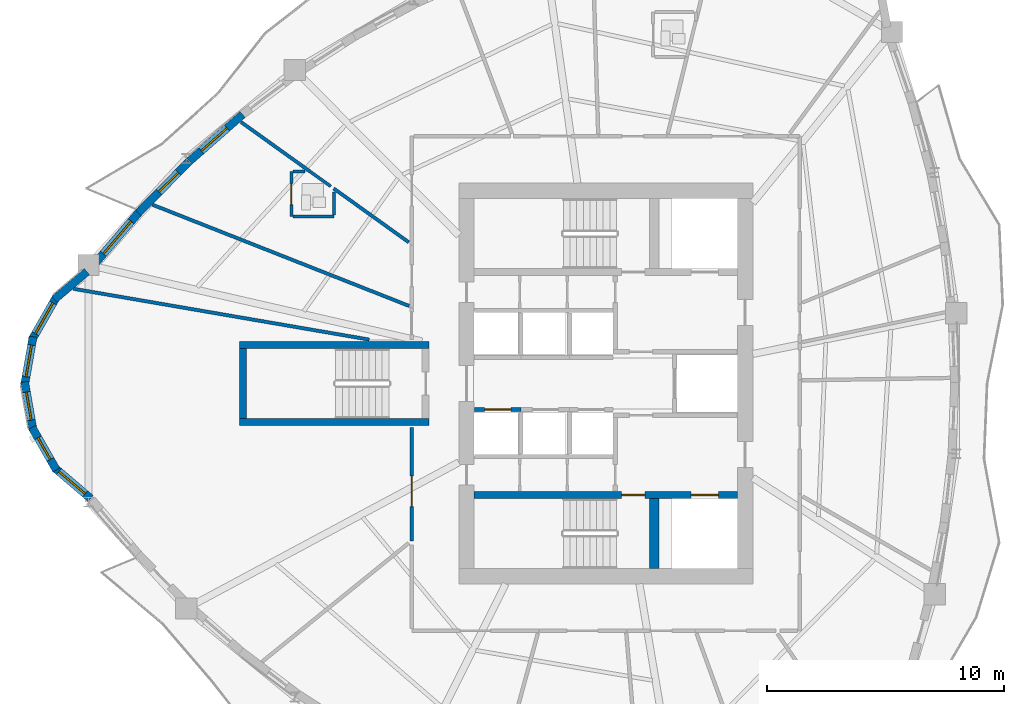
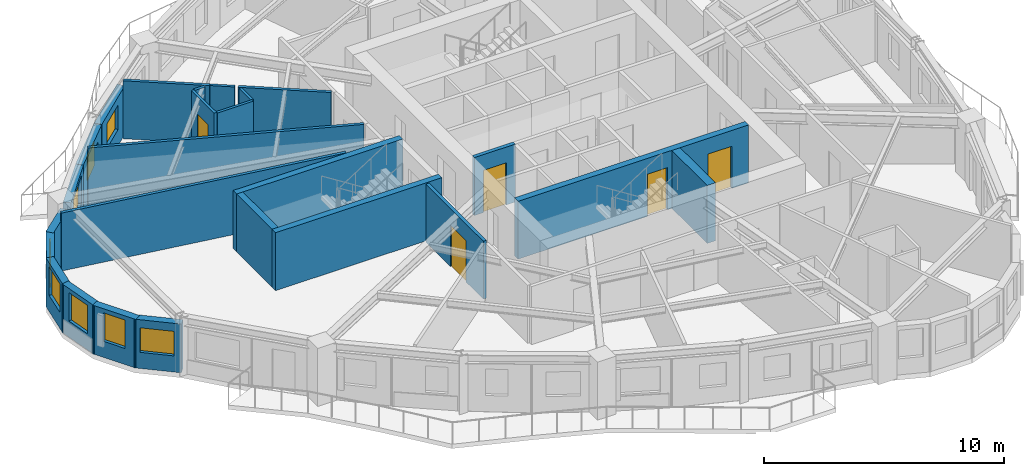
# One storey, part 4 of 12: 25 walls, 8 windows, 5 doors, 13 openings.
"""IFC4 building model written with IfcOpenShell, lengths in metres."""

from ifc_helpers import new_model, si_unit, direction, frame, frame_2d, origin, place, context, subcontext, project, spatial, rectangle, extrude, source, transform, mapped, material, layer, layer_set, type_object, element, fill, save


model = new_model("IFC4")

# Units and contexts
model_context = context("Model", 3, precision=1e-05, world=origin(), true_north=direction((0.0, 1.0)))
body_context = subcontext(model_context, "Body", "Model", "MODEL_VIEW")
ifc_project = project(units=[si_unit("LENGTHUNIT", "METRE"), si_unit("AREAUNIT", "SQUARE_METRE"), si_unit("VOLUMEUNIT", "CUBIC_METRE"), si_unit("PLANEANGLEUNIT", "RADIAN"), si_unit("MASSUNIT", "GRAM", prefix="KILO")], contexts=[model_context])

# Site, building, storey
site_placement = place(None, origin())
site = spatial("IfcSite", under=ifc_project, at=site_placement, CompositionType="ELEMENT")
building_placement = place(site_placement, origin())
building = spatial("IfcBuilding", under=site, at=building_placement, Name="Qafzar Sky-Pleat Residences", CompositionType="ELEMENT")
storey_placement = place(building_placement, frame((0.0, 0.0, 121.60009765625)))
storey = spatial("IfcBuildingStorey", under=building, at=storey_placement, Name="L36", CompositionType="ELEMENT", Elevation=121.60009765625)

# Wall, opening, door
ifc_material_1 = material(Name="Acoustic gypsum plasterboard partition", Category="gypsum")
ifc_layer_1 = layer(ifc_material_1, 0.159912109375)
ifc_layer_set_1 = layer_set([ifc_layer_1], Name="Acoustic gypsum plasterboard partition")
wall_type_1 = type_object("IfcWallType", Name="PART-COR-160", PredefinedType="PARTITIONING", material=ifc_layer_set_1)
wall_1_placement = place(storey_placement, frame((22.169921875, 19.35888671875, 0.0), z_axis=(0.0, 0.0, 1.0), x_axis=(0.0, 1.0, 0.0)))
wall_1 = element("IfcWall", 1, at=wall_1_placement, inside=storey, type_object=wall_type_1, Name="L36 Partition Wall PART-L36-PW-005", PredefinedType="PARTITIONING", context=body_context, shape_type="SweptSolid", body=[
    extrude(rectangle(XDim=4.791015625, YDim=0.159912109375, at=frame_2d((2.3955078125, 0.0))), origin(), (0.0, 0.0, 1.0), 2.949951171875),
])
opening_1_placement = place(wall_1_placement, frame((1.444580078125, 0.0, 0.0)))
opening_1 = element("IfcOpeningElement", 2, at=opening_1_placement, cuts=wall_1, Name="Opening ID-05", PredefinedType="OPENING", context=body_context, shape_type="SweptSolid", body=[
    extrude(rectangle(XDim=1.300048828125, YDim=2.10009765625, at=frame_2d((0.64990234375, 1.050048828125))), frame((0.0, 0.08984375, 0.0), z_axis=(0.0, -1.0, 0.0), x_axis=(1.0, 0.0, 0.0)), (0.0, 0.0, 1.0), 0.179931640625),
])
ifc_material_2 = material(Name="Timber-faced fire door", Category="wood")
door_type_1 = type_object("IfcDoorType", Name="DR-LNG-1300", OperationType="DOUBLE_DOOR_SINGLE_SWING", PredefinedType="DOOR", material=ifc_material_2)
shared_shape_1 = source(origin(), body_context, "Body", "SweptSolid", [
    extrude(rectangle(XDim=1.300048828125, YDim=2.10009765625, at=frame_2d((0.64990234375, 1.050048828125))), frame((0.0, 0.02490234375, 0.0), z_axis=(0.0, -1.0, 0.0), x_axis=(1.0, 0.0, 0.0)), (0.0, 0.0, 1.0), 0.050048828125),
])
door_1_placement = place(opening_1_placement, origin())
door_1 = element("IfcDoor", 3, at=door_1_placement, inside=storey, type_object=door_type_1, Name="L36 Academic Seminar Room Door", OperationType="DOUBLE_DOOR_SINGLE_SWING", OverallHeight=2.10009765625, OverallWidth=1.300048828125, PredefinedType="DOOR", context=body_context, shape_type="MappedRepresentation", body=[
    mapped(shared_shape_1, transform((0.0, 0.0, 0.0), x_axis=(1.0, 0.0, 0.0), y_axis=(0.0, 1.0, 0.0), z_axis=(0.0, 0.0, 1.0), scale=1.0)),
])
fill(opening_1, door_1)

ifc_material_3 = material(Name="Concrete blockwork partition", Category="masonry")
ifc_layer_2 = layer(ifc_material_3, 0.179931640625)
ifc_layer_set_2 = layer_set([ifc_layer_2], Name="Concrete blockwork partition")
wall_type_2 = type_object("IfcWallType", Name="PART-SHAFT-180", PredefinedType="PARTITIONING", material=ifc_layer_set_2)
wall_2_placement = place(storey_placement, frame((24.81005859375, 24.89990234375, 0.0), z_axis=(0.0, 0.0, 1.0), x_axis=(1.0, 0.0, 0.0)))
wall_2 = element("IfcWall", 4, at=wall_2_placement, inside=storey, type_object=wall_type_2, Name="L36 Partition Wall PART-L36-P1-N", PredefinedType="PARTITIONING", context=body_context, shape_type="SweptSolid", body=[
    extrude(rectangle(XDim=1.96484375, YDim=0.179931640625, at=frame_2d((0.982421875, 0.0))), origin(), (0.0, 0.0, 1.0), 2.949951171875),
])
opening_2_placement = place(wall_2_placement, frame((0.4326171875, 0.0, 0.0)))
opening_2 = element("IfcOpeningElement", 5, at=opening_2_placement, cuts=wall_2, Name="Opening LD-01", PredefinedType="OPENING", context=body_context, shape_type="SweptSolid", body=[
    extrude(rectangle(XDim=1.10009765625, YDim=2.14990234375, at=frame_2d((0.550048828125, 1.074951171875))), frame((0.0, 0.10009765625, 0.0), z_axis=(0.0, -1.0, 0.0), x_axis=(1.0, 0.0, 0.0)), (0.0, 0.0, 1.0), 0.199951171875),
])
ifc_material_4 = material(Name="Stainless steel sliding landing door", Category="steel")
door_type_2 = type_object("IfcDoorType", Name="DR-LIFT-P", OperationType="DOUBLE_DOOR_SLIDING", PredefinedType="DOOR", material=ifc_material_4)
shared_shape_2 = source(origin(), body_context, "Body", "SweptSolid", [
    extrude(rectangle(XDim=1.10009765625, YDim=2.14990234375, at=frame_2d((0.550048828125, 1.074951171875))), frame((0.0, 0.02490234375, 0.0), z_axis=(0.0, -1.0, 0.0), x_axis=(1.0, 0.0, 0.0)), (0.0, 0.0, 1.0), 0.050048828125),
])
door_2_placement = place(opening_2_placement, origin())
door_2 = element("IfcDoor", 6, at=door_2_placement, inside=storey, type_object=door_type_2, Name="L36 Passenger Lift P1 Landing Door", OperationType="DOUBLE_DOOR_SLIDING", OverallHeight=2.14990234375, OverallWidth=1.10009765625, PredefinedType="DOOR", context=body_context, shape_type="MappedRepresentation", body=[
    mapped(shared_shape_2, transform((0.0, 0.0, 0.0), x_axis=(1.0, 0.0, 0.0), y_axis=(0.0, 1.0, 0.0), z_axis=(0.0, 0.0, 1.0), scale=1.0)),
])
fill(opening_2, door_2)

# Walls
ifc_layer_3 = layer(ifc_material_1, 0.14501953125)
ifc_layer_set_3 = layer_set([ifc_layer_3], Name="Acoustic gypsum plasterboard partition")
wall_type_3 = type_object("IfcWallType", Name="PART-UNIT-145", PredefinedType="PARTITIONING", material=ifc_layer_set_3)
wall_3_placement = place(storey_placement, frame((7.892822265625, 29.99560546875, 0.0), z_axis=(0.0, 0.0, 1.0), x_axis=(0.985544917876, -0.169414328938, 0.0)))
element("IfcWall", 7, at=wall_3_placement, inside=storey, type_object=wall_type_3, Name="L36 Partition Wall PART-L36-PW-021", PredefinedType="PARTITIONING", context=body_context, shape_type="SweptSolid", body=[
    extrude(rectangle(XDim=12.664306640625, YDim=0.14501953125, at=frame_2d((6.33203125, 0.0))), origin(), (0.0, 0.0, 1.0), 2.949951171875),
])
wall_4_placement = place(storey_placement, frame((11.227783203125, 33.540283203125, 0.0), z_axis=(0.0, 0.0, 1.0), x_axis=(0.930301058265, -0.366796866114, 0.0)))
element("IfcWall", 8, at=wall_4_placement, inside=storey, type_object=wall_type_3, Name="L36 Partition Wall PART-L36-PW-022", PredefinedType="PARTITIONING", context=body_context, shape_type="SweptSolid", body=[
    extrude(rectangle(XDim=11.639404296875, YDim=0.14501953125, at=frame_2d((5.81982421875, 0.0))), origin(), (0.0, 0.0, 1.0), 2.949951171875),
])
wall_5_placement = place(storey_placement, frame((18.8740234375, 34.22509765625, 0.0), z_axis=(0.0, 0.0, 1.0), x_axis=(0.812826521731, -0.582505833079, 0.0)))
element("IfcWall", 9, at=wall_5_placement, inside=storey, type_object=wall_type_3, Name="L36 Partition Wall PART-L36-PW-038", PredefinedType="PARTITIONING", context=body_context, shape_type="SweptSolid", body=[
    extrude(rectangle(XDim=3.896484375, YDim=0.14501953125, at=frame_2d((1.9482421875, 0.0))), origin(), (0.0, 0.0, 1.0), 2.949951171875),
])
wall_6_placement = place(storey_placement, frame((14.96142578125, 37.029541015625, 0.0), z_axis=(0.0, 0.0, 1.0), x_axis=(0.812838437321, -0.582489205748, 0.0)))
element("IfcWall", 10, at=wall_6_placement, inside=storey, type_object=wall_type_3, Name="L36 Partition Wall PART-L36-PW-040", PredefinedType="PARTITIONING", context=body_context, shape_type="SweptSolid", body=[
    extrude(rectangle(XDim=3.6162109375, YDim=0.14501953125, at=frame_2d((1.80810546875, 0.0))), origin(), (0.0, 0.0, 1.0), 2.949951171875),
])

# Wall, opening, door
ifc_material_5 = material(Name="Moisture-resistant gypsum partition", Category="gypsum")
ifc_layer_4 = layer(ifc_material_5, 0.1298828125)
ifc_layer_set_4 = layer_set([ifc_layer_4], Name="Moisture-resistant gypsum partition")
wall_type_4 = type_object("IfcWallType", Name="PART-WET-130", PredefinedType="PARTITIONING", material=ifc_layer_set_4)
wall_7_placement = place(storey_placement, frame((17.089111328125, 34.93798828125, 0.0), z_axis=(0.0, 0.0, 1.0), x_axis=(0.0, -1.0, 0.0)))
wall_7 = element("IfcWall", 11, at=wall_7_placement, inside=storey, type_object=wall_type_4, Name="L36 Partition Wall PART-L36-PW-014", PredefinedType="PARTITIONING", context=body_context, shape_type="SweptSolid", body=[
    extrude(rectangle(XDim=1.89990234375, YDim=0.1298828125, at=frame_2d((0.949951171875, 0.0))), origin(), (0.0, 0.0, 1.0), 2.949951171875),
])
opening_3_placement = place(wall_7_placement, frame((0.510009765625, 0.0, 0.0)))
opening_3 = element("IfcOpeningElement", 12, at=opening_3_placement, cuts=wall_7, Name="Opening ID-07", PredefinedType="OPENING", context=body_context, shape_type="SweptSolid", body=[
    extrude(rectangle(XDim=0.8798828125, YDim=2.050048828125, at=frame_2d((0.43994140625, 1.02490234375))), frame((0.0, 0.074951171875, 0.0), z_axis=(0.0, -1.0, 0.0), x_axis=(1.0, 0.0, 0.0)), (0.0, 0.0, 1.0), 0.14990234375),
])
door_type_3 = type_object("IfcDoorType", Name="DR-WET-880", OperationType="NOTDEFINED", PredefinedType="DOOR", material=ifc_material_2)
shared_shape_3 = source(origin(), body_context, "Body", "SweptSolid", [
    extrude(rectangle(XDim=0.8798828125, YDim=2.050048828125, at=frame_2d((0.43994140625, 1.02490234375))), frame((0.0, 0.02490234375, 0.0), z_axis=(0.0, -1.0, 0.0), x_axis=(1.0, 0.0, 0.0)), (0.0, 0.0, 1.0), 0.050048828125),
])
door_3_placement = place(opening_3_placement, origin())
door_3 = element("IfcDoor", 13, at=door_3_placement, inside=storey, type_object=door_type_3, Name="L36 En-suite Bathroom 2 Door", OperationType="SINGLE_SWING_RIGHT", OverallHeight=2.050048828125, OverallWidth=0.8798828125, PredefinedType="DOOR", context=body_context, shape_type="MappedRepresentation", body=[
    mapped(shared_shape_3, transform((0.0, 0.0, 0.0), x_axis=(1.0, 0.0, 0.0), y_axis=(0.0, 1.0, 0.0), z_axis=(0.0, 0.0, 1.0), scale=1.0)),
])
fill(opening_3, door_3)

# Walls
wall_8_placement = place(storey_placement, frame((17.162109375, 33.0380859375, 0.0), z_axis=(0.0, 0.0, 1.0), x_axis=(1.0, 0.0, 0.0)))
element("IfcWall", 14, at=wall_8_placement, inside=storey, type_object=wall_type_4, Name="L36 Partition Wall PART-L36-PW-042", PredefinedType="PARTITIONING", context=body_context, shape_type="SweptSolid", body=[
    extrude(rectangle(XDim=1.726806640625, YDim=0.1298828125, at=frame_2d((0.86328125, 0.0))), origin(), (0.0, 0.0, 1.0), 2.949951171875),
])
wall_9_placement = place(storey_placement, frame((18.888916015625, 33.111083984375, 0.0), z_axis=(0.0, 0.0, 1.0), x_axis=(0.0, 1.0, 0.0)))
element("IfcWall", 15, at=wall_9_placement, inside=storey, type_object=wall_type_4, Name="L36 Partition Wall PART-L36-PW-050", PredefinedType="PARTITIONING", context=body_context, shape_type="SweptSolid", body=[
    extrude(rectangle(XDim=0.960205078125, YDim=0.1298828125, at=frame_2d((0.47998046875, 0.0))), origin(), (0.0, 0.0, 1.0), 2.949951171875),
])
wall_10_placement = place(storey_placement, frame((17.9130859375, 34.914306640625, 0.0), z_axis=(0.0, 0.0, 1.0), x_axis=(0.812774229327, -0.582578794792, 0.0)))
element("IfcWall", 16, at=wall_10_placement, inside=storey, type_object=wall_type_4, Name="L36 Partition Wall PART-L36-PW-051", PredefinedType="PARTITIONING", context=body_context, shape_type="SweptSolid", body=[
    extrude(rectangle(XDim=1.032958984375, YDim=0.1298828125, at=frame_2d((0.5166015625, 0.0))), origin(), (0.0, 0.0, 1.0), 2.949951171875),
])
wall_11_placement = place(storey_placement, frame((17.162109375, 34.93798828125, 0.0), z_axis=(0.0, 0.0, 1.0), x_axis=(1.0, 0.0, 0.0)))
element("IfcWall", 17, at=wall_11_placement, inside=storey, type_object=wall_type_4, Name="L36 Partition Wall PART-L36-PW-054", PredefinedType="PARTITIONING", context=body_context, shape_type="SweptSolid", body=[
    extrude(rectangle(XDim=0.49462890625, YDim=0.1298828125, at=frame_2d((0.247314453125, 0.0))), origin(), (0.0, 0.0, 1.0), 2.949951171875),
])
ifc_material_6 = material(Name="Precast concrete C40/50 with honed Riyadh limestone", Category="concrete")
ifc_layer_5 = layer(ifc_material_6, 0.340087890625)
ifc_layer_set_5 = layer_set([ifc_layer_5], Name="Precast concrete C40/50 with honed Riyadh limestone")
wall_type_5 = type_object("IfcWallType", Name="WALL-EXT-340", PredefinedType="SOLIDWALL", material=ifc_layer_set_5)
wall_12_placement = place(storey_placement, frame((8.4638671875, 30.717529296875, 0.0), z_axis=(0.0, 0.0, 1.0), x_axis=(-0.76120118347, -0.648515811899, 0.0)))
element("IfcWall", 18, at=wall_12_placement, inside=storey, type_object=wall_type_5, Name="L36 Limestone Facade Wall 1", PredefinedType="SOLIDWALL", context=body_context, shape_type="SweptSolid", body=[
    extrude(rectangle(XDim=1.8046875, YDim=0.340087890625, at=frame_2d((0.90234375, 0.0))), origin(), (0.0, 0.0, 1.0), 2.47998046875),
])

# Wall, opening, window
wall_13_placement = place(storey_placement, frame((7.17529296875, 29.649658203125, 0.0), z_axis=(0.0, 0.0, 1.0), x_axis=(-0.495999400124, -0.868322863385, 0.0)))
wall_13 = element("IfcWall", 19, at=wall_13_placement, inside=storey, type_object=wall_type_5, Name="L36 Limestone Facade Wall 2", PredefinedType="SOLIDWALL", context=body_context, shape_type="SweptSolid", body=[
    extrude(rectangle(XDim=2.07275390625, YDim=0.340087890625, at=frame_2d((1.036376953125, 0.0))), origin(), (0.0, 0.0, 1.0), 2.47998046875),
])
opening_4_placement = place(wall_13_placement, frame((0.286376953125, 0.0, 0.820068359375)))
opening_4 = element("IfcOpeningElement", 20, at=opening_4_placement, cuts=wall_13, Name="Opening WN-03", PredefinedType="OPENING", context=body_context, shape_type="SweptSolid", body=[
    extrude(rectangle(XDim=1.5, YDim=1.449951171875, at=frame_2d((0.75, 0.72509765625))), frame((0.0, 0.18017578125, 0.0), z_axis=(0.0, -1.0, 0.0), x_axis=(1.0, 0.0, 0.0)), (0.0, 0.0, 1.0), 0.360107421875),
])
ifc_material_7 = material(Name="Solar-control low-E glass in bronze aluminium frame", Category="glass")
window_type_1 = type_object("IfcWindowType", Name="WIN-03", PartitioningType="DOUBLE_PANEL_VERTICAL", PredefinedType="WINDOW", material=ifc_material_7)
shared_shape_4 = source(origin(), body_context, "Body", "SweptSolid", [
    extrude(rectangle(XDim=1.5, YDim=1.449951171875, at=frame_2d((0.75, 0.72509765625))), frame((0.0, 0.030029296875, 0.0), z_axis=(0.0, -1.0, 0.0), x_axis=(1.0, 0.0, 0.0)), (0.0, 0.0, 1.0), 0.06005859375),
])
window_1_placement = place(opening_4_placement, origin())
window_1 = element("IfcWindow", 21, at=window_1_placement, inside=storey, type_object=window_type_1, Name="L36 Punched Facade Window 02", OverallHeight=1.449951171875, OverallWidth=1.5, PartitioningType="SINGLE_PANEL", PredefinedType="WINDOW", context=body_context, shape_type="MappedRepresentation", body=[
    mapped(shared_shape_4, transform((0.0, 0.0, 0.0), x_axis=(1.0, 0.0, 0.0), y_axis=(0.0, 1.0, 0.0), z_axis=(0.0, 0.0, 1.0), scale=1.0)),
])
fill(opening_4, window_1)

wall_14_placement = place(storey_placement, frame((6.1923828125, 27.975341796875, 0.0), z_axis=(0.0, 0.0, 1.0), x_axis=(-0.172186061474, -0.985064444711, 0.0)))
wall_14 = element("IfcWall", 22, at=wall_14_placement, inside=storey, type_object=wall_type_5, Name="L36 Limestone Facade Wall 3", PredefinedType="SOLIDWALL", context=body_context, shape_type="SweptSolid", body=[
    extrude(rectangle(XDim=2.072998046875, YDim=0.340087890625, at=frame_2d((1.03662109375, 0.0))), origin(), (0.0, 0.0, 1.0), 2.47998046875),
])
opening_5_placement = place(wall_14_placement, frame((0.361572265625, 0.0, 0.820068359375)))
opening_5 = element("IfcOpeningElement", 23, at=opening_5_placement, cuts=wall_14, Name="Opening WN-04", PredefinedType="OPENING", context=body_context, shape_type="SweptSolid", body=[
    extrude(rectangle(XDim=1.35009765625, YDim=1.449951171875, at=frame_2d((0.675048828125, 0.72509765625))), frame((0.0, 0.18017578125, 0.0), z_axis=(0.0, -1.0, 0.0), x_axis=(1.0, 0.0, 0.0)), (0.0, 0.0, 1.0), 0.360107421875),
])
window_type_2 = type_object("IfcWindowType", Name="WIN-04", PartitioningType="SINGLE_PANEL", PredefinedType="WINDOW", material=ifc_material_7)
shared_shape_5 = source(origin(), body_context, "Body", "SweptSolid", [
    extrude(rectangle(XDim=1.35009765625, YDim=1.449951171875, at=frame_2d((0.675048828125, 0.72509765625))), frame((0.0, 0.030029296875, 0.0), z_axis=(0.0, -1.0, 0.0), x_axis=(1.0, 0.0, 0.0)), (0.0, 0.0, 1.0), 0.06005859375),
])
window_2_placement = place(opening_5_placement, origin())
window_2 = element("IfcWindow", 24, at=window_2_placement, inside=storey, type_object=window_type_2, Name="L36 Punched Facade Window 03", OverallHeight=1.449951171875, OverallWidth=1.35009765625, PartitioningType="SINGLE_PANEL", PredefinedType="WINDOW", context=body_context, shape_type="MappedRepresentation", body=[
    mapped(shared_shape_5, transform((0.0, 0.0, 0.0), x_axis=(1.0, 0.0, 0.0), y_axis=(0.0, 1.0, 0.0), z_axis=(0.0, 0.0, 1.0), scale=1.0)),
])
fill(opening_5, window_2)

wall_15_placement = place(storey_placement, frame((5.83544921875, 26.066650390625, 0.0), z_axis=(0.0, 0.0, 1.0), x_axis=(0.172186061474, -0.985064444711, 0.0)))
wall_15 = element("IfcWall", 25, at=wall_15_placement, inside=storey, type_object=wall_type_5, Name="L36 Limestone Facade Wall 4", PredefinedType="SOLIDWALL", context=body_context, shape_type="SweptSolid", body=[
    extrude(rectangle(XDim=2.072998046875, YDim=0.340087890625, at=frame_2d((1.03662109375, 0.0))), origin(), (0.0, 0.0, 1.0), 2.47998046875),
])
opening_6_placement = place(wall_15_placement, frame((0.4365234375, 0.0, 0.820068359375)))
opening_6 = element("IfcOpeningElement", 26, at=opening_6_placement, cuts=wall_15, Name="Opening WN-05", PredefinedType="OPENING", context=body_context, shape_type="SweptSolid", body=[
    extrude(rectangle(XDim=1.199951171875, YDim=1.449951171875, at=frame_2d((0.60009765625, 0.72509765625))), frame((0.0, 0.18017578125, 0.0), z_axis=(0.0, -1.0, 0.0), x_axis=(1.0, 0.0, 0.0)), (0.0, 0.0, 1.0), 0.360107421875),
])
window_type_3 = type_object("IfcWindowType", Name="WIN-05", PartitioningType="SINGLE_PANEL", PredefinedType="WINDOW", material=ifc_material_7)
shared_shape_6 = source(origin(), body_context, "Body", "SweptSolid", [
    extrude(rectangle(XDim=1.199951171875, YDim=1.449951171875, at=frame_2d((0.60009765625, 0.72509765625))), frame((0.0, 0.030029296875, 0.0), z_axis=(0.0, -1.0, 0.0), x_axis=(1.0, 0.0, 0.0)), (0.0, 0.0, 1.0), 0.06005859375),
])
window_3_placement = place(opening_6_placement, origin())
window_3 = element("IfcWindow", 27, at=window_3_placement, inside=storey, type_object=window_type_3, Name="L36 Punched Facade Window 04", OverallHeight=1.449951171875, OverallWidth=1.199951171875, PartitioningType="SINGLE_PANEL", PredefinedType="WINDOW", context=body_context, shape_type="MappedRepresentation", body=[
    mapped(shared_shape_6, transform((0.0, 0.0, 0.0), x_axis=(1.0, 0.0, 0.0), y_axis=(0.0, 1.0, 0.0), z_axis=(0.0, 0.0, 1.0), scale=1.0)),
])
fill(opening_6, window_3)

wall_16_placement = place(storey_placement, frame((6.147216796875, 24.150146484375, 0.0), z_axis=(0.0, 0.0, 1.0), x_axis=(0.495999400124, -0.868322863385, 0.0)))
wall_16 = element("IfcWall", 28, at=wall_16_placement, inside=storey, type_object=wall_type_5, Name="L36 Limestone Facade Wall 5", PredefinedType="SOLIDWALL", context=body_context, shape_type="SweptSolid", body=[
    extrude(rectangle(XDim=2.07275390625, YDim=0.340087890625, at=frame_2d((1.036376953125, 0.0))), origin(), (0.0, 0.0, 1.0), 2.47998046875),
])
opening_7_placement = place(wall_16_placement, frame((0.511474609375, 0.0, 0.820068359375)))
opening_7 = element("IfcOpeningElement", 29, at=opening_7_placement, cuts=wall_16, Name="Opening WN-06", PredefinedType="OPENING", context=body_context, shape_type="SweptSolid", body=[
    extrude(rectangle(XDim=1.050048828125, YDim=1.449951171875, at=frame_2d((0.52490234375, 0.72509765625))), frame((0.0, 0.18017578125, 0.0), z_axis=(0.0, -1.0, 0.0), x_axis=(1.0, 0.0, 0.0)), (0.0, 0.0, 1.0), 0.360107421875),
])
window_type_4 = type_object("IfcWindowType", Name="WIN-06", PartitioningType="SINGLE_PANEL", PredefinedType="WINDOW", material=ifc_material_7)
shared_shape_7 = source(origin(), body_context, "Body", "SweptSolid", [
    extrude(rectangle(XDim=1.050048828125, YDim=1.449951171875, at=frame_2d((0.52490234375, 0.72509765625))), frame((0.0, 0.030029296875, 0.0), z_axis=(0.0, -1.0, 0.0), x_axis=(1.0, 0.0, 0.0)), (0.0, 0.0, 1.0), 0.06005859375),
])
window_4_placement = place(opening_7_placement, origin())
window_4 = element("IfcWindow", 30, at=window_4_placement, inside=storey, type_object=window_type_4, Name="L36 Punched Facade Window 05", OverallHeight=1.449951171875, OverallWidth=1.050048828125, PartitioningType="SINGLE_PANEL", PredefinedType="WINDOW", context=body_context, shape_type="MappedRepresentation", body=[
    mapped(shared_shape_7, transform((0.0, 0.0, 0.0), x_axis=(1.0, 0.0, 0.0), y_axis=(0.0, 1.0, 0.0), z_axis=(0.0, 0.0, 1.0), scale=1.0)),
])
fill(opening_7, window_4)

wall_17_placement = place(storey_placement, frame((7.090087890625, 22.452880859375, 0.0), z_axis=(0.0, 0.0, 1.0), x_axis=(0.761203352049, -0.648513266502, 0.0)))
wall_17 = element("IfcWall", 31, at=wall_17_placement, inside=storey, type_object=wall_type_5, Name="L36 Limestone Facade Wall 6", PredefinedType="SOLIDWALL", context=body_context, shape_type="SweptSolid", body=[
    extrude(rectangle(XDim=2.014892578125, YDim=0.340087890625, at=frame_2d((1.00732421875, 0.0))), origin(), (0.0, 0.0, 1.0), 2.47998046875),
])
opening_8_placement = place(wall_17_placement, frame((0.25244140625, 0.0, 0.820068359375)))
opening_8 = element("IfcOpeningElement", 32, at=opening_8_placement, cuts=wall_17, Name="Opening WN-15", PredefinedType="OPENING", context=body_context, shape_type="SweptSolid", body=[
    extrude(rectangle(XDim=1.449951171875, YDim=1.25, at=frame_2d((0.72509765625, 0.625))), frame((0.0, 0.18017578125, 0.0), z_axis=(0.0, -1.0, 0.0), x_axis=(1.0, 0.0, 0.0)), (0.0, 0.0, 1.0), 0.360107421875),
])
window_type_5 = type_object("IfcWindowType", Name="WIN-15", PartitioningType="SINGLE_PANEL", PredefinedType="WINDOW", material=ifc_material_7)
shared_shape_8 = source(origin(), body_context, "Body", "SweptSolid", [
    extrude(rectangle(XDim=1.449951171875, YDim=1.25, at=frame_2d((0.72509765625, 0.625))), frame((0.0, 0.030029296875, 0.0), z_axis=(0.0, -1.0, 0.0), x_axis=(1.0, 0.0, 0.0)), (0.0, 0.0, 1.0), 0.06005859375),
])
window_5_placement = place(opening_8_placement, origin())
window_5 = element("IfcWindow", 33, at=window_5_placement, inside=storey, type_object=window_type_5, Name="L36 Punched Facade Window 06", OverallHeight=1.25, OverallWidth=1.449951171875, PartitioningType="SINGLE_PANEL", PredefinedType="WINDOW", context=body_context, shape_type="MappedRepresentation", body=[
    mapped(shared_shape_8, transform((0.0, 0.0, 0.0), x_axis=(1.0, 0.0, 0.0), y_axis=(0.0, 1.0, 0.0), z_axis=(0.0, 0.0, 1.0), scale=1.0)),
])
fill(opening_8, window_5)

wall_18_placement = place(storey_placement, frame((15.030517578125, 37.3486328125, 0.0), z_axis=(0.0, 0.0, 1.0), x_axis=(-0.751472812955, -0.659764057364, 0.0)))
wall_18 = element("IfcWall", 34, at=wall_18_placement, inside=storey, type_object=wall_type_5, Name="L36 Limestone Facade Wall 46", PredefinedType="SOLIDWALL", context=body_context, shape_type="SweptSolid", body=[
    extrude(rectangle(XDim=2.989501953125, YDim=0.340087890625, at=frame_2d((1.49462890625, 0.0))), origin(), (0.0, 0.0, 1.0), 2.47998046875),
])
opening_9_placement = place(wall_18_placement, frame((0.875, 0.0, 0.820068359375)))
opening_9 = element("IfcOpeningElement", 35, at=opening_9_placement, cuts=wall_18, Name="Opening WN-15", PredefinedType="OPENING", context=body_context, shape_type="SweptSolid", body=[
    extrude(rectangle(XDim=1.449951171875, YDim=1.25, at=frame_2d((0.72509765625, 0.625))), frame((0.0, 0.18017578125, 0.0), z_axis=(0.0, -1.0, 0.0), x_axis=(1.0, 0.0, 0.0)), (0.0, 0.0, 1.0), 0.360107421875),
])
window_6_placement = place(opening_9_placement, origin())
window_6 = element("IfcWindow", 36, at=window_6_placement, inside=storey, type_object=window_type_5, Name="L36 Punched Facade Window 46", OverallHeight=1.25, OverallWidth=1.449951171875, PartitioningType="SINGLE_PANEL", PredefinedType="WINDOW", context=body_context, shape_type="MappedRepresentation", body=[
    mapped(shared_shape_8, transform((0.0, 0.0, 0.0), x_axis=(1.0, 0.0, 0.0), y_axis=(0.0, 1.0, 0.0), z_axis=(0.0, 0.0, 1.0), scale=1.0)),
])
fill(opening_9, window_6)

wall_19_placement = place(storey_placement, frame((12.763916015625, 35.357177734375, 0.0), z_axis=(0.0, 0.0, 1.0), x_axis=(-0.701906045867, -0.712269543625, 0.0)))
wall_19 = element("IfcWall", 37, at=wall_19_placement, inside=storey, type_object=wall_type_5, Name="L36 Limestone Facade Wall 47", PredefinedType="SOLIDWALL", context=body_context, shape_type="SweptSolid", body=[
    extrude(rectangle(XDim=3.0390625, YDim=0.340087890625, at=frame_2d((1.51953125, 0.0))), origin(), (0.0, 0.0, 1.0), 2.47998046875),
])
opening_10_placement = place(wall_19_placement, frame((0.6455078125, 0.0, 0.820068359375)))
opening_10 = element("IfcOpeningElement", 38, at=opening_10_placement, cuts=wall_19, Name="Opening WN-16", PredefinedType="OPENING", context=body_context, shape_type="SweptSolid", body=[
    extrude(rectangle(XDim=1.14990234375, YDim=1.199951171875, at=frame_2d((0.574951171875, 0.60009765625))), frame((0.0, 0.18017578125, 0.0), z_axis=(0.0, -1.0, 0.0), x_axis=(1.0, 0.0, 0.0)), (0.0, 0.0, 1.0), 0.360107421875),
])
window_type_6 = type_object("IfcWindowType", Name="WIN-16", PartitioningType="SINGLE_PANEL", PredefinedType="WINDOW", material=ifc_material_7)
shared_shape_9 = source(origin(), body_context, "Body", "SweptSolid", [
    extrude(rectangle(XDim=1.14990234375, YDim=1.199951171875, at=frame_2d((0.574951171875, 0.60009765625))), frame((0.0, 0.030029296875, 0.0), z_axis=(0.0, -1.0, 0.0), x_axis=(1.0, 0.0, 0.0)), (0.0, 0.0, 1.0), 0.06005859375),
])
window_7_placement = place(opening_10_placement, origin())
window_7 = element("IfcWindow", 39, at=window_7_placement, inside=storey, type_object=window_type_6, Name="L36 Punched Facade Window 47", OverallHeight=1.199951171875, OverallWidth=1.14990234375, PartitioningType="SINGLE_PANEL", PredefinedType="WINDOW", context=body_context, shape_type="MappedRepresentation", body=[
    mapped(shared_shape_9, transform((0.0, 0.0, 0.0), x_axis=(1.0, 0.0, 0.0), y_axis=(0.0, 1.0, 0.0), z_axis=(0.0, 0.0, 1.0), scale=1.0)),
])
fill(opening_10, window_7)

wall_20_placement = place(storey_placement, frame((10.690185546875, 33.257080078125, 0.0), z_axis=(0.0, 0.0, 1.0), x_axis=(-0.650763576187, -0.759280427714, 0.0)))
wall_20 = element("IfcWall", 40, at=wall_20_placement, inside=storey, type_object=wall_type_5, Name="L36 Limestone Facade Wall 48", PredefinedType="SOLIDWALL", context=body_context, shape_type="SweptSolid", body=[
    extrude(rectangle(XDim=2.893310546875, YDim=0.340087890625, at=frame_2d((1.44677734375, 0.0))), origin(), (0.0, 0.0, 1.0), 2.47998046875),
])
opening_11_placement = place(wall_20_placement, frame((0.5517578125, 0.0, 0.820068359375)))
opening_11 = element("IfcOpeningElement", 41, at=opening_11_placement, cuts=wall_20, Name="Opening WN-01", PredefinedType="OPENING", context=body_context, shape_type="SweptSolid", body=[
    extrude(rectangle(XDim=1.800048828125, YDim=1.449951171875, at=frame_2d((0.89990234375, 0.72509765625))), frame((0.0, 0.18017578125, 0.0), z_axis=(0.0, -1.0, 0.0), x_axis=(1.0, 0.0, 0.0)), (0.0, 0.0, 1.0), 0.360107421875),
])
window_type_7 = type_object("IfcWindowType", Name="WIN-01", PartitioningType="DOUBLE_PANEL_VERTICAL", PredefinedType="WINDOW", material=ifc_material_7)
shared_shape_10 = source(origin(), body_context, "Body", "SweptSolid", [
    extrude(rectangle(XDim=1.800048828125, YDim=1.449951171875, at=frame_2d((0.89990234375, 0.72509765625))), frame((0.0, 0.030029296875, 0.0), z_axis=(0.0, -1.0, 0.0), x_axis=(1.0, 0.0, 0.0)), (0.0, 0.0, 1.0), 0.06005859375),
])
window_8_placement = place(opening_11_placement, origin())
window_8 = element("IfcWindow", 42, at=window_8_placement, inside=storey, type_object=window_type_7, Name="L36 Punched Facade Window 48", OverallHeight=1.449951171875, OverallWidth=1.800048828125, PartitioningType="SINGLE_PANEL", PredefinedType="WINDOW", context=body_context, shape_type="MappedRepresentation", body=[
    mapped(shared_shape_10, transform((0.0, 0.0, 0.0), x_axis=(1.0, 0.0, 0.0), y_axis=(0.0, 1.0, 0.0), z_axis=(0.0, 0.0, 1.0), scale=1.0)),
])
fill(opening_11, window_8)

# Wall, openings, doors
ifc_material_8 = material(Name="Concrete C60/75", Category="concrete")
ifc_layer_6 = layer(ifc_material_8, 0.300048828125)
ifc_layer_set_6 = layer_set([ifc_layer_6], Name="Concrete C60/75")
wall_type_6 = type_object("IfcWallType", Name="WALL-SHEAR-300", PredefinedType="SHEAR", material=ifc_layer_set_6)
wall_21_placement = place(storey_placement, frame((24.800048828125, 21.300048828125, 0.0), z_axis=(0.0, 0.0, 1.0), x_axis=(1.0, 0.0, 0.0)))
wall_21 = element("IfcWall", 43, at=wall_21_placement, inside=storey, type_object=wall_type_6, Name="L36 Stair ST1 and FF1 Shaft North Wall", PredefinedType="SHEAR", context=body_context, shape_type="SweptSolid", body=[
    extrude(rectangle(XDim=11.099853515625, YDim=0.300048828125, at=frame_2d((5.5498046875, 0.0))), origin(), (0.0, 0.0, 1.0), 2.949951171875),
])
opening_12_placement = place(wall_21_placement, frame((6.219970703125, 0.0, 0.0)))
opening_12 = element("IfcOpeningElement", 44, at=opening_12_placement, cuts=wall_21, Name="Opening ID-01", PredefinedType="OPENING", context=body_context, shape_type="SweptSolid", body=[
    extrude(rectangle(XDim=0.97998046875, YDim=2.14990234375, at=frame_2d((0.489990234375, 1.074951171875))), frame((0.0, 0.16015625, 0.0), z_axis=(0.0, -1.0, 0.0), x_axis=(1.0, 0.0, 0.0)), (0.0, 0.0, 1.0), 0.320068359375),
])
opening_13_placement = place(wall_21_placement, frame((9.14990234375, 0.0, 0.0)))
opening_13 = element("IfcOpeningElement", 45, at=opening_13_placement, cuts=wall_21, Name="Opening LD-02", PredefinedType="OPENING", context=body_context, shape_type="SweptSolid", body=[
    extrude(rectangle(XDim=1.14990234375, YDim=2.14990234375, at=frame_2d((0.574951171875, 1.074951171875))), frame((0.0, 0.16015625, 0.0), z_axis=(0.0, -1.0, 0.0), x_axis=(1.0, 0.0, 0.0)), (0.0, 0.0, 1.0), 0.320068359375),
])
door_type_4 = type_object("IfcDoorType", Name="DR-STAIR-980", OperationType="NOTDEFINED", PredefinedType="DOOR", material=ifc_material_2)
shared_shape_11 = source(origin(), body_context, "Body", "SweptSolid", [
    extrude(rectangle(XDim=0.97998046875, YDim=2.14990234375, at=frame_2d((0.489990234375, 1.074951171875))), frame((0.0, 0.02490234375, 0.0), z_axis=(0.0, -1.0, 0.0), x_axis=(1.0, 0.0, 0.0)), (0.0, 0.0, 1.0), 0.050048828125),
])
door_4_placement = place(opening_12_placement, origin())
door_4 = element("IfcDoor", 46, at=door_4_placement, inside=storey, type_object=door_type_4, Name="L36 Stair ST1 Fire Door", OperationType="SINGLE_SWING_RIGHT", OverallHeight=2.14990234375, OverallWidth=0.97998046875, PredefinedType="DOOR", context=body_context, shape_type="MappedRepresentation", body=[
    mapped(shared_shape_11, transform((0.0, 0.0, 0.0), x_axis=(1.0, 0.0, 0.0), y_axis=(0.0, 1.0, 0.0), z_axis=(0.0, 0.0, 1.0), scale=1.0)),
])
fill(opening_12, door_4)
door_type_5 = type_object("IfcDoorType", Name="DR-LIFT-FF", OperationType="DOUBLE_DOOR_SLIDING", PredefinedType="DOOR", material=ifc_material_4)
shared_shape_12 = source(origin(), body_context, "Body", "SweptSolid", [
    extrude(rectangle(XDim=1.14990234375, YDim=2.14990234375, at=frame_2d((0.574951171875, 1.074951171875))), frame((0.0, 0.02490234375, 0.0), z_axis=(0.0, -1.0, 0.0), x_axis=(1.0, 0.0, 0.0)), (0.0, 0.0, 1.0), 0.050048828125),
])
door_5_placement = place(opening_13_placement, origin())
door_5 = element("IfcDoor", 47, at=door_5_placement, inside=storey, type_object=door_type_5, Name="L36 Firefighting Lift FF1 Landing Door", OperationType="DOUBLE_DOOR_SLIDING", OverallHeight=2.14990234375, OverallWidth=1.14990234375, PredefinedType="DOOR", context=body_context, shape_type="MappedRepresentation", body=[
    mapped(shared_shape_12, transform((0.0, 0.0, 0.0), x_axis=(1.0, 0.0, 0.0), y_axis=(0.0, 1.0, 0.0), z_axis=(0.0, 0.0, 1.0), scale=1.0)),
])
fill(opening_13, door_5)

# Walls
for number, where, z_axis, x_axis, name in (
    (48, (14.89990234375, 24.375, 0.0), (0.0, 0.0, 1.0), (1.0, 0.0, 0.0), "L36 ST3 wall S"),
    (49, (22.89990234375, 27.625, 0.0), (0.0, 0.0, 1.0), (-1.0, 0.0, 0.0), "L36 ST3 wall N"),
):
    element("IfcWall", number, at=place(storey_placement, frame(where, z_axis=z_axis, x_axis=x_axis)), inside=storey, type_object=wall_type_6, Name=name, PredefinedType="SHEAR", context=body_context, shape_type="SweptSolid", body=[
        extrude(rectangle(XDim=8.0, YDim=0.300048828125, at=frame_2d((4.0, 0.0))), origin(), (0.0, 0.0, 1.0), 2.949951171875),
    ])
wall_22_placement = place(storey_placement, frame((15.050048828125, 27.47509765625, 0.0), z_axis=(0.0, 0.0, 1.0), x_axis=(0.0, -1.0, 0.0)))
element("IfcWall", 50, at=wall_22_placement, inside=storey, type_object=wall_type_6, Name="L36 ST3 wall W", PredefinedType="SHEAR", context=body_context, shape_type="SweptSolid", body=[
    extrude(rectangle(XDim=2.9501953125, YDim=0.300048828125, at=frame_2d((1.47509765625, 0.0))), origin(), (0.0, 0.0, 1.0), 2.949951171875),
])
ifc_layer_7 = layer(ifc_material_8, 0.39990234375)
ifc_layer_set_7 = layer_set([ifc_layer_7], Name="Concrete C60/75")
wall_type_7 = type_object("IfcWallType", Name="WALL-SHEAR-400", PredefinedType="SHEAR", material=ifc_layer_set_7)
wall_23_placement = place(storey_placement, frame((32.39990234375, 18.199951171875, 0.0), z_axis=(0.0, 0.0, 1.0), x_axis=(0.0, 1.0, 0.0)))
element("IfcWall", 51, at=wall_23_placement, inside=storey, type_object=wall_type_7, Name="L36 Stair ST1 East Dividing Wall", PredefinedType="SHEAR", context=body_context, shape_type="SweptSolid", body=[
    extrude(rectangle(XDim=2.949951171875, YDim=0.39990234375, at=frame_2d((1.47509765625, 0.0))), origin(), (0.0, 0.0, 1.0), 2.949951171875),
])

save(model, "model.ifc")
